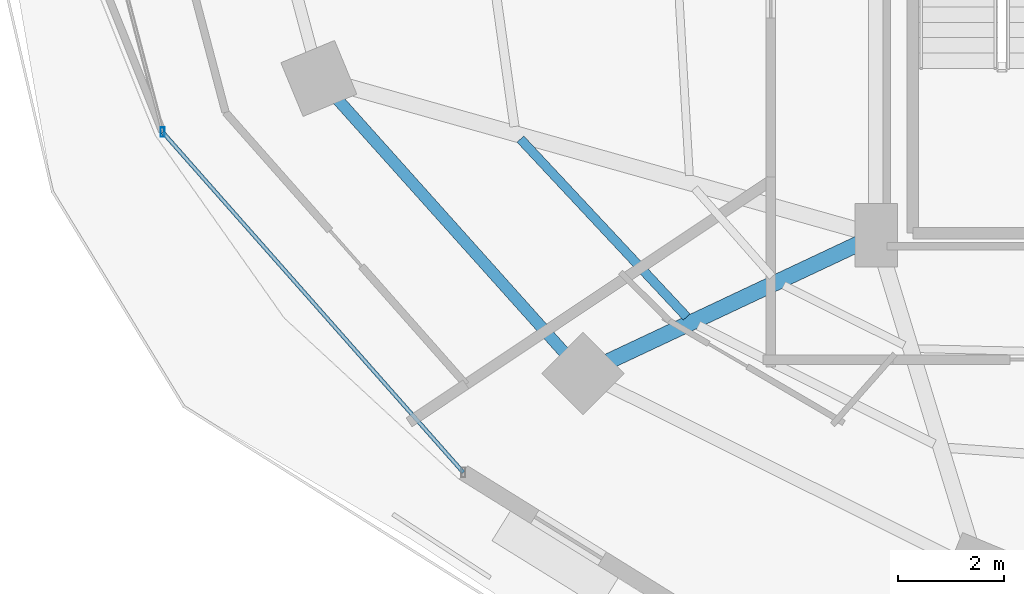
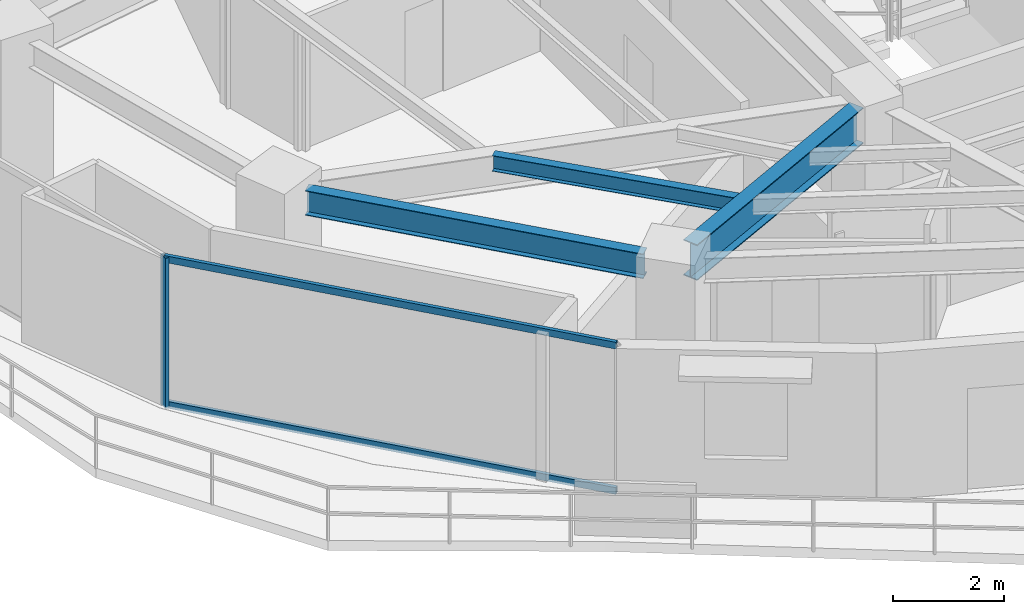
# One storey, part 3 of 29: 3 beams, 3 members, 1 element without a shape of its own.
"""IFC4 building model written with IfcOpenShell, lengths in metres."""

from ifc_helpers import new_model, si_unit, direction, frame, origin, origin_2d, place, context, subcontext, project, spatial, hollow_rectangle, i_section, extrude, material, material_profile, profile_set, type_object, element, aggregate, save


model = new_model("IFC4")

# Units and contexts
model_context = context("Model", 3, precision=1e-05, world=origin(), true_north=direction((0.0, 1.0)))
body_context = subcontext(model_context, "Body", "Model", "MODEL_VIEW")
ifc_project = project(units=[si_unit("LENGTHUNIT", "METRE"), si_unit("AREAUNIT", "SQUARE_METRE"), si_unit("VOLUMEUNIT", "CUBIC_METRE"), si_unit("PLANEANGLEUNIT", "RADIAN"), si_unit("MASSUNIT", "GRAM", prefix="KILO")], contexts=[model_context])

# Site, building, storey
site_placement = place(None, origin())
site = spatial("IfcSite", under=ifc_project, at=site_placement, CompositionType="ELEMENT")
building_placement = place(site_placement, origin())
building = spatial("IfcBuilding", under=site, at=building_placement, Name="Vorneva Point Tower", CompositionType="ELEMENT")
storey_placement = place(building_placement, frame((0.0, 0.0, 85.800048828125)))
storey = spatial("IfcBuildingStorey", under=building, at=storey_placement, Name="L22", CompositionType="ELEMENT", Elevation=85.800048828125)

# Beams
ifc_material_1 = material(Name="Steel S355", Category="steel")
ifc_material_profile_1 = material_profile(ifc_material_1, i_section(OverallWidth=0.300048828125, OverallDepth=0.7880859375, WebThickness=0.014404296875, FlangeThickness=0.02197265625, at=origin_2d()), Name="80Sh1")
ifc_profile_set_1 = profile_set([ifc_material_profile_1], Name="Steel S355")
beam_type_1 = type_object("IfcBeamType", Name="BM-GRD-80Sh1", PredefinedType="USERDEFINED", material=ifc_profile_set_1)
beam_1_placement = place(storey_placement, frame((22.18798828125, 14.06689453125, 2.845947265625), z_axis=(0.904751304927, 0.425940226126, 0.0), x_axis=(-0.425940226126, 0.904751304927, 0.0)))
element("IfcBeam", 1, at=beam_1_placement, inside=storey, type_object=beam_type_1, Name="L22 Radial Primary Girder 11", ObjectType="GIRDER", PredefinedType="USERDEFINED", context=body_context, shape_type="SweptSolid", body=[
    extrude(i_section(OverallWidth=0.300048828125, OverallDepth=0.7880859375, WebThickness=0.014404296875, FlangeThickness=0.02197265625, at=origin_2d()), origin(), (0.0, 0.0, 1.0), 5.2548828125),
])
ifc_material_profile_2 = material_profile(ifc_material_1, i_section(OverallWidth=0.174072265625, OverallDepth=0.345947265625, WebThickness=0.006103515625, FlangeThickness=0.009033203125, at=origin_2d()), Name="35B1")
ifc_profile_set_2 = profile_set([ifc_material_profile_2], Name="Steel S355")
beam_type_2 = type_object("IfcBeamType", Name="BM-SEC-35B1", PredefinedType="BEAM", material=ifc_profile_set_2)
beam_2_placement = place(storey_placement, frame((20.517822265625, 18.2705078125, 3.06689453125), z_axis=(0.682901714838, -0.730510265411, 0.0), x_axis=(0.730510265411, 0.682901714838, 0.0)))
element("IfcBeam", 2, at=beam_2_placement, inside=storey, type_object=beam_type_2, Name="L22 Secondary Floor Beam 1.10", PredefinedType="BEAM", context=body_context, shape_type="SweptSolid", body=[
    extrude(i_section(OverallWidth=0.174072265625, OverallDepth=0.345947265625, WebThickness=0.006103515625, FlangeThickness=0.009033203125, at=origin_2d()), origin(), (0.0, 0.0, 1.0), 4.60498046875),
])
ifc_material_profile_3 = material_profile(ifc_material_1, i_section(OverallWidth=0.219970703125, OverallDepth=0.54296875, WebThickness=0.009521484375, FlangeThickness=0.013427734375, at=origin_2d()), Name="55B1")
ifc_profile_set_3 = profile_set([ifc_material_profile_3], Name="Steel S355")
beam_type_3 = type_object("IfcBeamType", Name="BM-SPN-55B1", PredefinedType="SPANDREL", material=ifc_profile_set_3)
beam_3_placement = place(storey_placement, frame((17.0615234375, 19.019287109375, 2.968505859375), z_axis=(0.667073815664, -0.744991627105, 0.0), x_axis=(0.744991627105, 0.667073815664, 0.0)))
element("IfcBeam", 3, at=beam_3_placement, inside=storey, type_object=beam_type_3, Name="L22 Perimeter Spandrel Ring Beam 10", PredefinedType="SPANDREL", context=body_context, shape_type="SweptSolid", body=[
    extrude(i_section(OverallWidth=0.219970703125, OverallDepth=0.54296875, WebThickness=0.009521484375, FlangeThickness=0.013427734375, at=origin_2d()), origin(), (0.0, 0.0, 1.0), 6.420166015625),
])

# Curtain wall, members
ifc_material_2 = material(Name="Pale anodised aluminium", Category="aluminium")
curtain_wall_type = type_object("IfcCurtainWallType", Name="CW-HTL-SYS", PredefinedType="NOTDEFINED", material=ifc_material_2)
curtain_wall_placement = place(storey_placement, origin())
curtain_wall = element("IfcCurtainWall", 4, at=curtain_wall_placement, inside=storey, type_object=curtain_wall_type, Name="L22 Unitised Curtain Wall CW-L22-R02", PredefinedType="NOTDEFINED")
ifc_material_profile_4 = material_profile(ifc_material_2, hollow_rectangle(XDim=0.074951171875, YDim=0.179931640625, WallThickness=0.00390625, at=origin_2d()), Name="AL-MUL 180x75x4")
ifc_profile_set_4 = profile_set([ifc_material_profile_4], Name="Pale anodised aluminium")
member_type_1 = type_object("IfcMemberType", Name="CW-MUL-180", PredefinedType="MULLION", material=ifc_profile_set_4)
member_1_placement = place(storey_placement, frame((13.748291015625, 18.40380859375, -0.0400390625), z_axis=(0.0, 0.0, 1.0), x_axis=(1.0, 0.0, 0.0)))
member_1 = element("IfcMember", 5, at=member_1_placement, type_object=member_type_1, Name="CW-L22-R02 Mullion 04", PredefinedType="MULLION", context=body_context, shape_type="SweptSolid", body=[
    extrude(hollow_rectangle(XDim=0.074951171875, YDim=0.179931640625, WallThickness=0.00390625, at=origin_2d()), origin(), (0.0, 0.0, 1.0), 3.31005859375),
])
ifc_material_profile_5 = material_profile(ifc_material_2, hollow_rectangle(XDim=0.074951171875, YDim=0.14990234375, WallThickness=0.00390625, at=origin_2d()), Name="AL-TRN 150x75x4")
ifc_profile_set_5 = profile_set([ifc_material_profile_5], Name="Pale anodised aluminium")
member_type_2 = type_object("IfcMemberType", Name="CW-TRN-150", PredefinedType="USERDEFINED", material=ifc_profile_set_5)
member_2_placement = place(storey_placement, frame((13.748291015625, 18.40380859375, 0.02001953125), z_axis=(0.662137326257, -0.74938251993, 0.0), x_axis=(0.74938251993, 0.662137326257, 0.0)))
member_2 = element("IfcMember", 6, at=member_2_placement, type_object=member_type_2, Name="CW-L22-R02 Transom 04.1", ObjectType="TRANSOM", PredefinedType="USERDEFINED", context=body_context, shape_type="SweptSolid", body=[
    extrude(hollow_rectangle(XDim=0.074951171875, YDim=0.14990234375, WallThickness=0.00390625, at=origin_2d()), origin(), (0.0, 0.0, 1.0), 8.59375),
])
member_3_placement = place(storey_placement, frame((13.748291015625, 18.40380859375, 3.219970703125), z_axis=(0.662137326257, -0.74938251993, 0.0), x_axis=(0.74938251993, 0.662137326257, 0.0)))
member_3 = element("IfcMember", 7, at=member_3_placement, type_object=member_type_2, Name="CW-L22-R02 Transom 04.2", ObjectType="TRANSOM", PredefinedType="USERDEFINED", context=body_context, shape_type="SweptSolid", body=[
    extrude(hollow_rectangle(XDim=0.074951171875, YDim=0.14990234375, WallThickness=0.00390625, at=origin_2d()), origin(), (0.0, 0.0, 1.0), 8.59375),
])
aggregate(curtain_wall, [member_1, member_2, member_3])

save(model, "model.ifc")
